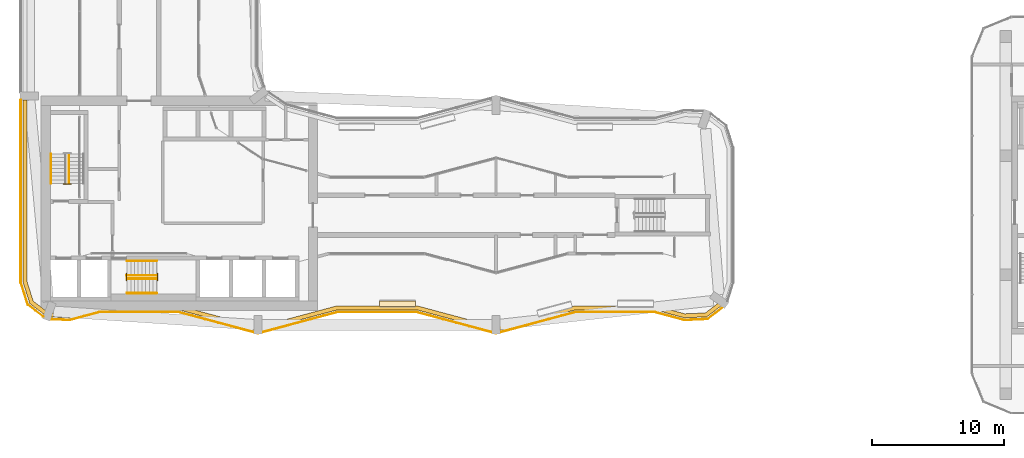
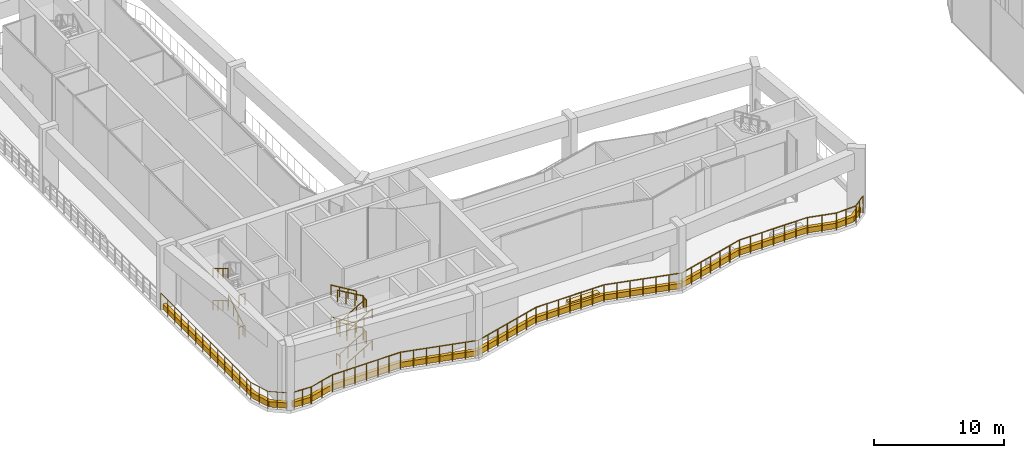
# One storey, part 21 of 24: 19 railings, 3 coverings.
"""IFC4 building model written with IfcOpenShell, lengths in metres."""

from ifc_helpers import new_model, si_unit, direction, frame, origin, origin_2d, place, context, subcontext, project, spatial, polyline, circle, outline, extrude, material, layer, layer_set, type_object, element, save


model = new_model("IFC4")

# Units and contexts
model_context = context("Model", 3, precision=1e-05, world=origin(), true_north=direction((0.0, 1.0)))
body_context = subcontext(model_context, "Body", "Model", "MODEL_VIEW")
ifc_project = project(units=[si_unit("LENGTHUNIT", "METRE"), si_unit("AREAUNIT", "SQUARE_METRE"), si_unit("VOLUMEUNIT", "CUBIC_METRE"), si_unit("PLANEANGLEUNIT", "RADIAN"), si_unit("MASSUNIT", "GRAM", prefix="KILO")], contexts=[model_context])

# Site, building, storey
site_placement = place(None, origin())
site = spatial("IfcSite", under=ifc_project, at=site_placement, CompositionType="ELEMENT")
building_placement = place(site_placement, origin())
building = spatial("IfcBuilding", under=site, at=building_placement, Name="Plateau Cross Towers", CompositionType="ELEMENT")
storey_placement = place(building_placement, frame((0.0, 0.0, 72.300048828125)))
storey = spatial("IfcBuildingStorey", under=building, at=storey_placement, Name="L18", CompositionType="ELEMENT", Elevation=72.300048828125)

# Railings
ifc_material_1 = material(Name="Stainless steel and toughened glass", Category="steel")
railing_type_1 = type_object("IfcRailingType", Name="Glass balustrade guard 1600", PredefinedType="GUARDRAIL", material=ifc_material_1)
railing_1_placement = place(storey_placement, frame((0.06005859375, 17.699951171875, 0.0)))
element("IfcRailing", 1, at=railing_1_placement, inside=storey, type_object=railing_type_1, Name="Guard A0_180", PredefinedType="GUARDRAIL", context=body_context, shape_type="SweptSolid", body=[
    extrude(circle(Radius=0.02392578125, at=origin_2d()), frame((0.0, 0.0, 1.576171875), z_axis=(0.0, -1.0, 0.0), x_axis=(1.0, 0.0, 0.0)), (0.0, 0.0, 1.0), 13.781494140625),
    extrude(circle(Radius=0.02392578125, at=origin_2d()), frame((0.0, -13.781494140625, 1.576171875), z_axis=(0.300637904714, -0.953738355237, 0.0), x_axis=(0.953738355237, 0.300637904714, 0.0)), (0.0, 0.0, 1.0), 1.776123046875),
    extrude(circle(Radius=0.02392578125, at=origin_2d()), frame((0.533935546875, -15.475341796875, 1.576171875), z_axis=(0.793378517032, -0.608728616636, 0.0), x_axis=(0.608728616636, 0.793378517032, 0.0)), (0.0, 0.0, 1.0), 1.46630859375),
    extrude(circle(Radius=0.02099609375, at=origin_2d()), origin(), (0.0, 0.0, 1.0), 1.552001953125),
    extrude(circle(Radius=0.02099609375, at=origin_2d()), frame((0.0, -1.050048828125, 0.0)), (0.0, 0.0, 1.0), 1.552001953125),
    extrude(circle(Radius=0.02099609375, at=origin_2d()), frame((0.0, -2.10009765625, 0.0)), (0.0, 0.0, 1.0), 1.552001953125),
    extrude(circle(Radius=0.02099609375, at=origin_2d()), frame((0.0, -3.14990234375, 0.0)), (0.0, 0.0, 1.0), 1.552001953125),
    extrude(circle(Radius=0.02099609375, at=origin_2d()), frame((0.0, -4.199951171875, 0.0)), (0.0, 0.0, 1.0), 1.552001953125),
    extrude(circle(Radius=0.02099609375, at=origin_2d()), frame((0.0, -5.324951171875, 0.0)), (0.0, 0.0, 1.0), 1.552001953125),
    extrude(circle(Radius=0.02099609375, at=origin_2d()), frame((0.0, -6.449951171875, 0.0)), (0.0, 0.0, 1.0), 1.552001953125),
    extrude(circle(Radius=0.02099609375, at=origin_2d()), frame((0.0, -7.574951171875, 0.0)), (0.0, 0.0, 1.0), 1.552001953125),
    extrude(circle(Radius=0.02099609375, at=origin_2d()), frame((0.0, -8.699951171875, 0.0)), (0.0, 0.0, 1.0), 1.552001953125),
    extrude(circle(Radius=0.02099609375, at=origin_2d()), frame((0.0, -9.824951171875, 0.0)), (0.0, 0.0, 1.0), 1.552001953125),
    extrude(circle(Radius=0.02099609375, at=origin_2d()), frame((0.0, -10.949951171875, 0.0)), (0.0, 0.0, 1.0), 1.552001953125),
    extrude(circle(Radius=0.02099609375, at=origin_2d()), frame((0.0, -12.074951171875, 0.0)), (0.0, 0.0, 1.0), 1.552001953125),
    extrude(circle(Radius=0.02099609375, at=origin_2d()), frame((0.0, -13.199951171875, 0.0)), (0.0, 0.0, 1.0), 1.552001953125),
    extrude(circle(Radius=0.02099609375, at=origin_2d()), frame((0.0, -13.781494140625, 0.0)), (0.0, 0.0, 1.0), 1.552001953125),
    extrude(circle(Radius=0.02099609375, at=origin_2d()), frame((0.26708984375, -14.62841796875, 0.0)), (0.0, 0.0, 1.0), 1.552001953125),
    extrude(circle(Radius=0.02099609375, at=origin_2d()), frame((0.533935546875, -15.475341796875, 0.0)), (0.0, 0.0, 1.0), 1.552001953125),
    extrude(circle(Radius=0.02099609375, at=origin_2d()), frame((1.11572265625, -15.921630859375, 0.0)), (0.0, 0.0, 1.0), 1.552001953125),
    extrude(circle(Radius=0.02099609375, at=origin_2d()), frame((1.697265625, -16.367919921875, 0.0)), (0.0, 0.0, 1.0), 1.552001953125),
])
railing_2_placement = place(storey_placement, frame((2.294921875, 1.13623046875, 0.0)))
element("IfcRailing", 2, at=railing_2_placement, inside=storey, type_object=railing_type_1, Name="Guard A20_11", PredefinedType="GUARDRAIL", context=body_context, shape_type="SweptSolid", body=[
    extrude(circle(Radius=0.02392578125, at=origin_2d()), frame((0.0, 0.0, 1.576171875), z_axis=(0.999038915809, -0.043832005412, 0.0), x_axis=(0.043832005412, 0.999038915809, 0.0)), (0.0, 0.0, 1.0), 1.47607421875),
    extrude(circle(Radius=0.02392578125, at=origin_2d()), frame((1.474609375, -0.064697265625, 1.576171875), z_axis=(0.96593668607, 0.258778512448, 0.0), x_axis=(-0.258778512448, 0.96593668607, 0.0)), (0.0, 0.0, 1.0), 2.301025390625),
    extrude(circle(Radius=0.02392578125, at=origin_2d()), frame((3.697265625, 0.53076171875, 1.576171875), z_axis=(1.0, 0.0, 0.0), x_axis=(0.0, 1.0, 0.0)), (0.0, 0.0, 1.0), 6.015625),
    extrude(circle(Radius=0.02392578125, at=origin_2d()), frame((9.712890625, 0.53076171875, 1.576171875), z_axis=(0.965950861745, -0.258725593428, 0.0), x_axis=(0.258725593428, 0.965950861745, 0.0)), (0.0, 0.0, 1.0), 6.203369140625),
    extrude(circle(Radius=0.02392578125, at=origin_2d()), frame((15.705078125, -1.07421875, 1.576171875), z_axis=(0.965950861745, 0.258725593428, 0.0), x_axis=(-0.258725593428, 0.965950861745, 0.0)), (0.0, 0.0, 1.0), 6.203369140625),
    extrude(circle(Radius=0.02392578125, at=origin_2d()), frame((21.697265625, 0.53076171875, 1.576171875), z_axis=(1.0, 0.0, 0.0), x_axis=(0.0, 1.0, 0.0)), (0.0, 0.0, 1.0), 6.015625),
    extrude(circle(Radius=0.02392578125, at=origin_2d()), frame((27.712890625, 0.53076171875, 1.576171875), z_axis=(0.965950861745, -0.258725593428, 0.0), x_axis=(0.258725593428, 0.965950861745, 0.0)), (0.0, 0.0, 1.0), 6.203369140625),
    extrude(circle(Radius=0.02392578125, at=origin_2d()), frame((33.705078125, -1.07421875, 1.576171875), z_axis=(0.965950861745, 0.258725593428, 0.0), x_axis=(-0.258725593428, 0.965950861745, 0.0)), (0.0, 0.0, 1.0), 6.203369140625),
    extrude(circle(Radius=0.02392578125, at=origin_2d()), frame((39.697265625, 0.53076171875, 1.576171875), z_axis=(1.0, 0.0, 0.0), x_axis=(0.0, 1.0, 0.0)), (0.0, 0.0, 1.0), 6.015625),
    extrude(circle(Radius=0.02392578125, at=origin_2d()), frame((45.712890625, 0.53076171875, 1.576171875), z_axis=(0.96593668607, -0.258778512448, 0.0), x_axis=(0.258778512448, 0.96593668607, 0.0)), (0.0, 0.0, 1.0), 2.301025390625),
    extrude(circle(Radius=0.02392578125, at=origin_2d()), frame((47.935546875, -0.064697265625, 1.576171875), z_axis=(0.999038178213, 0.043848813821, 0.0), x_axis=(-0.043848813821, 0.999038178213, 0.0)), (0.0, 0.0, 1.0), 1.776123046875),
    extrude(circle(Radius=0.02392578125, at=origin_2d()), frame((49.7099609375, 0.01318359375, 1.576171875), z_axis=(0.793316807674, 0.608809036284, 0.0), x_axis=(-0.608809036284, 0.793316807674, 0.0)), (0.0, 0.0, 1.0), 1.466064453125),
    extrude(circle(Radius=0.02099609375, at=origin_2d()), origin(), (0.0, 0.0, 1.0), 1.552001953125),
    extrude(circle(Radius=0.02099609375, at=origin_2d()), frame((0.7373046875, -0.0322265625, 0.0)), (0.0, 0.0, 1.0), 1.552001953125),
    extrude(circle(Radius=0.02099609375, at=origin_2d()), frame((1.474609375, -0.064697265625, 0.0)), (0.0, 0.0, 1.0), 1.552001953125),
    extrude(circle(Radius=0.02099609375, at=origin_2d()), frame((2.5859375, 0.23291015625, 0.0)), (0.0, 0.0, 1.0), 1.552001953125),
    extrude(circle(Radius=0.02099609375, at=origin_2d()), frame((3.697265625, 0.53076171875, 0.0)), (0.0, 0.0, 1.0), 1.552001953125),
    extrude(circle(Radius=0.02099609375, at=origin_2d()), frame((4.699951171875, 0.53076171875, 0.0)), (0.0, 0.0, 1.0), 1.552001953125),
    extrude(circle(Radius=0.02099609375, at=origin_2d()), frame((5.702392578125, 0.53076171875, 0.0)), (0.0, 0.0, 1.0), 1.552001953125),
    extrude(circle(Radius=0.02099609375, at=origin_2d()), frame((6.705078125, 0.53076171875, 0.0)), (0.0, 0.0, 1.0), 1.552001953125),
    extrude(circle(Radius=0.02099609375, at=origin_2d()), frame((7.707763671875, 0.53076171875, 0.0)), (0.0, 0.0, 1.0), 1.552001953125),
    extrude(circle(Radius=0.02099609375, at=origin_2d()), frame((8.710205078125, 0.53076171875, 0.0)), (0.0, 0.0, 1.0), 1.552001953125),
    extrude(circle(Radius=0.02099609375, at=origin_2d()), frame((9.712890625, 0.53076171875, 0.0)), (0.0, 0.0, 1.0), 1.552001953125),
    extrude(circle(Radius=0.02099609375, at=origin_2d()), frame((10.711669921875, 0.26318359375, 0.0)), (0.0, 0.0, 1.0), 1.552001953125),
    extrude(circle(Radius=0.02099609375, at=origin_2d()), frame((11.710205078125, -0.004150390625, 0.0)), (0.0, 0.0, 1.0), 1.552001953125),
    extrude(circle(Radius=0.02099609375, at=origin_2d()), frame((12.708984375, -0.271728515625, 0.0)), (0.0, 0.0, 1.0), 1.552001953125),
    extrude(circle(Radius=0.02099609375, at=origin_2d()), frame((13.707763671875, -0.539306640625, 0.0)), (0.0, 0.0, 1.0), 1.552001953125),
    extrude(circle(Radius=0.02099609375, at=origin_2d()), frame((14.706298828125, -0.806640625, 0.0)), (0.0, 0.0, 1.0), 1.552001953125),
    extrude(circle(Radius=0.02099609375, at=origin_2d()), frame((15.705078125, -1.07421875, 0.0)), (0.0, 0.0, 1.0), 1.552001953125),
    extrude(circle(Radius=0.02099609375, at=origin_2d()), frame((16.703857421875, -0.806640625, 0.0)), (0.0, 0.0, 1.0), 1.552001953125),
    extrude(circle(Radius=0.02099609375, at=origin_2d()), frame((17.702392578125, -0.539306640625, 0.0)), (0.0, 0.0, 1.0), 1.552001953125),
    extrude(circle(Radius=0.02099609375, at=origin_2d()), frame((18.701171875, -0.271728515625, 0.0)), (0.0, 0.0, 1.0), 1.552001953125),
    extrude(circle(Radius=0.02099609375, at=origin_2d()), frame((19.699951171875, -0.004150390625, 0.0)), (0.0, 0.0, 1.0), 1.552001953125),
    extrude(circle(Radius=0.02099609375, at=origin_2d()), frame((20.698486328125, 0.26318359375, 0.0)), (0.0, 0.0, 1.0), 1.552001953125),
    extrude(circle(Radius=0.02099609375, at=origin_2d()), frame((21.697265625, 0.53076171875, 0.0)), (0.0, 0.0, 1.0), 1.552001953125),
    extrude(circle(Radius=0.02099609375, at=origin_2d()), frame((22.699951171875, 0.53076171875, 0.0)), (0.0, 0.0, 1.0), 1.552001953125),
    extrude(circle(Radius=0.02099609375, at=origin_2d()), frame((23.702392578125, 0.53076171875, 0.0)), (0.0, 0.0, 1.0), 1.552001953125),
    extrude(circle(Radius=0.02099609375, at=origin_2d()), frame((24.705078125, 0.53076171875, 0.0)), (0.0, 0.0, 1.0), 1.552001953125),
    extrude(circle(Radius=0.02099609375, at=origin_2d()), frame((25.707763671875, 0.53076171875, 0.0)), (0.0, 0.0, 1.0), 1.552001953125),
    extrude(circle(Radius=0.02099609375, at=origin_2d()), frame((26.710205078125, 0.53076171875, 0.0)), (0.0, 0.0, 1.0), 1.552001953125),
    extrude(circle(Radius=0.02099609375, at=origin_2d()), frame((27.712890625, 0.53076171875, 0.0)), (0.0, 0.0, 1.0), 1.552001953125),
    extrude(circle(Radius=0.02099609375, at=origin_2d()), frame((28.711669921875, 0.26318359375, 0.0)), (0.0, 0.0, 1.0), 1.552001953125),
    extrude(circle(Radius=0.02099609375, at=origin_2d()), frame((29.710205078125, -0.004150390625, 0.0)), (0.0, 0.0, 1.0), 1.552001953125),
    extrude(circle(Radius=0.02099609375, at=origin_2d()), frame((30.708984375, -0.271728515625, 0.0)), (0.0, 0.0, 1.0), 1.552001953125),
    extrude(circle(Radius=0.02099609375, at=origin_2d()), frame((31.707763671875, -0.539306640625, 0.0)), (0.0, 0.0, 1.0), 1.552001953125),
    extrude(circle(Radius=0.02099609375, at=origin_2d()), frame((32.706298828125, -0.806640625, 0.0)), (0.0, 0.0, 1.0), 1.552001953125),
    extrude(circle(Radius=0.02099609375, at=origin_2d()), frame((33.705078125, -1.07421875, 0.0)), (0.0, 0.0, 1.0), 1.552001953125),
    extrude(circle(Radius=0.02099609375, at=origin_2d()), frame((34.703857421875, -0.806640625, 0.0)), (0.0, 0.0, 1.0), 1.552001953125),
    extrude(circle(Radius=0.02099609375, at=origin_2d()), frame((35.702392578125, -0.539306640625, 0.0)), (0.0, 0.0, 1.0), 1.552001953125),
    extrude(circle(Radius=0.02099609375, at=origin_2d()), frame((36.701171875, -0.271728515625, 0.0)), (0.0, 0.0, 1.0), 1.552001953125),
    extrude(circle(Radius=0.02099609375, at=origin_2d()), frame((37.699951171875, -0.004150390625, 0.0)), (0.0, 0.0, 1.0), 1.552001953125),
    extrude(circle(Radius=0.02099609375, at=origin_2d()), frame((38.698486328125, 0.26318359375, 0.0)), (0.0, 0.0, 1.0), 1.552001953125),
    extrude(circle(Radius=0.02099609375, at=origin_2d()), frame((39.697265625, 0.53076171875, 0.0)), (0.0, 0.0, 1.0), 1.552001953125),
    extrude(circle(Radius=0.02099609375, at=origin_2d()), frame((40.699951171875, 0.53076171875, 0.0)), (0.0, 0.0, 1.0), 1.552001953125),
    extrude(circle(Radius=0.02099609375, at=origin_2d()), frame((41.702392578125, 0.53076171875, 0.0)), (0.0, 0.0, 1.0), 1.552001953125),
    extrude(circle(Radius=0.02099609375, at=origin_2d()), frame((42.705078125, 0.53076171875, 0.0)), (0.0, 0.0, 1.0), 1.552001953125),
    extrude(circle(Radius=0.02099609375, at=origin_2d()), frame((43.707763671875, 0.53076171875, 0.0)), (0.0, 0.0, 1.0), 1.552001953125),
    extrude(circle(Radius=0.02099609375, at=origin_2d()), frame((44.710205078125, 0.53076171875, 0.0)), (0.0, 0.0, 1.0), 1.552001953125),
    extrude(circle(Radius=0.02099609375, at=origin_2d()), frame((45.712890625, 0.53076171875, 0.0)), (0.0, 0.0, 1.0), 1.552001953125),
    extrude(circle(Radius=0.02099609375, at=origin_2d()), frame((46.82421875, 0.23291015625, 0.0)), (0.0, 0.0, 1.0), 1.552001953125),
    extrude(circle(Radius=0.02099609375, at=origin_2d()), frame((47.935546875, -0.064697265625, 0.0)), (0.0, 0.0, 1.0), 1.552001953125),
    extrude(circle(Radius=0.02099609375, at=origin_2d()), frame((48.82275390625, -0.02587890625, 0.0)), (0.0, 0.0, 1.0), 1.552001953125),
    extrude(circle(Radius=0.02099609375, at=origin_2d()), frame((49.7099609375, 0.01318359375, 0.0)), (0.0, 0.0, 1.0), 1.552001953125),
    extrude(circle(Radius=0.02099609375, at=origin_2d()), frame((50.29150390625, 0.45947265625, 0.0)), (0.0, 0.0, 1.0), 1.552001953125),
    extrude(circle(Radius=0.02099609375, at=origin_2d()), frame((50.873046875, 0.90576171875, 0.0)), (0.0, 0.0, 1.0), 1.552001953125),
])

# Covering
ifc_material_2 = material(Name="Planting substrate and ground cover")
ifc_layer = layer(ifc_material_2, 0.199951171875)
ifc_layer_set = layer_set([ifc_layer], Name="Planting substrate and ground cover")
covering_type_1 = type_object("IfcCoveringType", Name="Planting bed 200", PredefinedType="FLOORING", material=ifc_layer_set)
covering_1_placement = place(storey_placement, frame((0.0, 0.0, 0.449951171875)))
element("IfcCovering", 3, at=covering_1_placement, inside=storey, type_object=covering_type_1, Name="Planting bed 10", PredefinedType="FLOORING", context=body_context, shape_type="SweptSolid", body=[
    extrude(outline(polyline([(27.199951171875, 2.0869140625), (27.199951171875, 2.516845703125), (29.891357421875, 2.516845703125), (29.891357421875, 2.0869140625), (27.199951171875, 2.0869140625)])), origin(), (0.0, 0.0, 1.0), 0.199951171875),
])

# Railings
railing_type_2 = type_object("IfcRailingType", Name="RL-GUARD-1100", PredefinedType="GUARDRAIL", material=ifc_material_1)
railing_3_placement = place(storey_placement, frame((3.699951171875, 11.39990234375, 0.16650390625)))
element("IfcRailing", 4, at=railing_3_placement, inside=storey, type_object=railing_type_2, Name="L18 ST-1 stair guard 1", PredefinedType="GUARDRAIL", context=body_context, shape_type="SweptSolid", body=[
    extrude(circle(Radius=0.02392578125, at=origin_2d()), frame((0.0, 0.0, 1.076171875), z_axis=(0.0, 0.859264461869, 0.511531606619), x_axis=(-1.0, 0.0, 0.0)), (0.0, 0.0, 1.0), 2.60693359375),
    extrude(circle(Radius=0.02099609375, at=origin_2d()), origin(), (0.0, 0.0, 1.0), 1.052001953125),
    extrude(circle(Radius=0.02099609375, at=origin_2d()), frame((0.0, 0.74658203125, 0.444580078125)), (0.0, 0.0, 1.0), 1.052001953125),
    extrude(circle(Radius=0.02099609375, at=origin_2d()), frame((0.0, 1.493408203125, 0.888916015625)), (0.0, 0.0, 1.0), 1.052001953125),
    extrude(circle(Radius=0.02099609375, at=origin_2d()), frame((0.0, 2.239990234375, 1.33349609375)), (0.0, 0.0, 1.0), 1.052001953125),
])
for number, where, name in (
    (5, (3.85009765625, 11.35009765625, 3.0), "L18 ST-1 stair guard 4"),
    (6, (3.85009765625, 11.35009765625, 0.0), "L18 ST-1 stair guard 8"),
):
    element("IfcRailing", number, at=place(storey_placement, frame(where)), inside=storey, type_object=railing_type_2, Name=name, PredefinedType="GUARDRAIL", context=body_context, shape_type="SweptSolid", body=[
        extrude(circle(Radius=0.02392578125, at=origin_2d()), frame((0.0, 0.0, 1.076171875), z_axis=(-1.0, 0.0, 0.0), x_axis=(0.0, -1.0, 0.0)), (0.0, 0.0, 1.0), 0.550048828125),
        extrude(circle(Radius=0.02099609375, at=origin_2d()), origin(), (0.0, 0.0, 1.0), 1.052001953125),
        extrude(circle(Radius=0.02099609375, at=origin_2d()), frame((-0.550048828125, 0.0, 0.0)), (0.0, 0.0, 1.0), 1.052001953125),
    ])
railing_4_placement = place(storey_placement, frame((8.10009765625, 4.199951171875, 0.16650390625)))
element("IfcRailing", 7, at=railing_4_placement, inside=storey, type_object=railing_type_2, Name="L18 ST-2 stair guard 1", PredefinedType="GUARDRAIL", context=body_context, shape_type="SweptSolid", body=[
    extrude(circle(Radius=0.02392578125, at=origin_2d()), frame((0.0, 0.0, 1.076171875), z_axis=(0.859264461869, 0.0, 0.511531606619), x_axis=(0.0, 1.0, 0.0)), (0.0, 0.0, 1.0), 2.60693359375),
    extrude(circle(Radius=0.02099609375, at=origin_2d()), origin(), (0.0, 0.0, 1.0), 1.052001953125),
    extrude(circle(Radius=0.02099609375, at=origin_2d()), frame((0.74658203125, 0.0, 0.444580078125)), (0.0, 0.0, 1.0), 1.052001953125),
    extrude(circle(Radius=0.02099609375, at=origin_2d()), frame((1.493408203125, 0.0, 0.888916015625)), (0.0, 0.0, 1.0), 1.052001953125),
    extrude(circle(Radius=0.02099609375, at=origin_2d()), frame((2.239990234375, 0.0, 1.33349609375)), (0.0, 0.0, 1.0), 1.052001953125),
])
railing_5_placement = place(storey_placement, frame((10.389892578125, 4.050048828125, 1.5)))
element("IfcRailing", 8, at=railing_5_placement, inside=storey, type_object=railing_type_2, Name="L18 ST-2 stair guard 2", PredefinedType="GUARDRAIL", context=body_context, shape_type="SweptSolid", body=[
    extrude(circle(Radius=0.02392578125, at=origin_2d()), frame((0.0, 0.0, 1.076171875), z_axis=(0.0, 1.0, 0.0), x_axis=(-1.0, 0.0, 0.0)), (0.0, 0.0, 1.0), 0.550048828125),
    extrude(circle(Radius=0.02099609375, at=origin_2d()), origin(), (0.0, 0.0, 1.0), 1.052001953125),
    extrude(circle(Radius=0.02099609375, at=origin_2d()), frame((0.0, 0.550048828125, 0.0)), (0.0, 0.0, 1.0), 1.052001953125),
])
railing_6_placement = place(storey_placement, frame((10.340087890625, 4.449951171875, 1.66650390625)))
element("IfcRailing", 9, at=railing_6_placement, inside=storey, type_object=railing_type_2, Name="L18 ST-2 stair guard 3", PredefinedType="GUARDRAIL", context=body_context, shape_type="SweptSolid", body=[
    extrude(circle(Radius=0.02392578125, at=origin_2d()), frame((0.0, 0.0, 1.076171875), z_axis=(-0.859264461869, 0.0, 0.511531606619), x_axis=(0.0, -1.0, 0.0)), (0.0, 0.0, 1.0), 2.60693359375),
    extrude(circle(Radius=0.02099609375, at=origin_2d()), origin(), (0.0, 0.0, 1.0), 1.052001953125),
    extrude(circle(Radius=0.02099609375, at=origin_2d()), frame((-0.74658203125, 0.0, 0.444580078125)), (0.0, 0.0, 1.0), 1.052001953125),
    extrude(circle(Radius=0.02099609375, at=origin_2d()), frame((-1.493408203125, 0.0, 0.888916015625)), (0.0, 0.0, 1.0), 1.052001953125),
    extrude(circle(Radius=0.02099609375, at=origin_2d()), frame((-2.239990234375, 0.0, 1.33349609375)), (0.0, 0.0, 1.0), 1.052001953125),
])
railing_7_placement = place(storey_placement, frame((8.050048828125, 4.050048828125, 3.0)))
element("IfcRailing", 10, at=railing_7_placement, inside=storey, type_object=railing_type_2, Name="L18 ST-2 stair guard 4", PredefinedType="GUARDRAIL", context=body_context, shape_type="SweptSolid", body=[
    extrude(circle(Radius=0.02392578125, at=origin_2d()), frame((0.0, 0.0, 1.076171875), z_axis=(0.0, 1.0, 0.0), x_axis=(-1.0, 0.0, 0.0)), (0.0, 0.0, 1.0), 0.550048828125),
    extrude(circle(Radius=0.02099609375, at=origin_2d()), origin(), (0.0, 0.0, 1.0), 1.052001953125),
    extrude(circle(Radius=0.02099609375, at=origin_2d()), frame((0.0, 0.550048828125, 0.0)), (0.0, 0.0, 1.0), 1.052001953125),
])
railing_8_placement = place(storey_placement, frame((8.10009765625, 4.199951171875, 3.16650390625)))
element("IfcRailing", 11, at=railing_8_placement, inside=storey, type_object=railing_type_2, Name="L18 ST-2 stair guard 5", PredefinedType="GUARDRAIL", context=body_context, shape_type="SweptSolid", body=[
    extrude(circle(Radius=0.02392578125, at=origin_2d()), frame((0.0, 0.0, 1.076171875), z_axis=(0.859264461869, 0.0, 0.511531606619), x_axis=(0.0, 1.0, 0.0)), (0.0, 0.0, 1.0), 2.60693359375),
    extrude(circle(Radius=0.02099609375, at=origin_2d()), origin(), (0.0, 0.0, 1.0), 1.052001953125),
    extrude(circle(Radius=0.02099609375, at=origin_2d()), frame((0.74658203125, 0.0, 0.444580078125)), (0.0, 0.0, 1.0), 1.052001953125),
    extrude(circle(Radius=0.02099609375, at=origin_2d()), frame((1.493408203125, 0.0, 0.888916015625)), (0.0, 0.0, 1.0), 1.052001953125),
    extrude(circle(Radius=0.02099609375, at=origin_2d()), frame((2.239990234375, 0.0, 1.33349609375)), (0.0, 0.0, 1.0), 1.052001953125),
])
railing_9_placement = place(storey_placement, frame((10.389892578125, 4.050048828125, 4.5)))
element("IfcRailing", 12, at=railing_9_placement, inside=storey, type_object=railing_type_2, Name="L18 ST-2 stair guard 6", PredefinedType="GUARDRAIL", context=body_context, shape_type="SweptSolid", body=[
    extrude(circle(Radius=0.02392578125, at=origin_2d()), frame((0.0, 0.0, 1.076171875), z_axis=(0.0, 1.0, 0.0), x_axis=(-1.0, 0.0, 0.0)), (0.0, 0.0, 1.0), 0.550048828125),
    extrude(circle(Radius=0.02099609375, at=origin_2d()), origin(), (0.0, 0.0, 1.0), 1.052001953125),
    extrude(circle(Radius=0.02099609375, at=origin_2d()), frame((0.0, 0.550048828125, 0.0)), (0.0, 0.0, 1.0), 1.052001953125),
])
railing_10_placement = place(storey_placement, frame((10.340087890625, 4.449951171875, 4.66650390625)))
element("IfcRailing", 13, at=railing_10_placement, inside=storey, type_object=railing_type_2, Name="L18 ST-2 stair guard 7", PredefinedType="GUARDRAIL", context=body_context, shape_type="SweptSolid", body=[
    extrude(circle(Radius=0.02392578125, at=origin_2d()), frame((0.0, 0.0, 1.076171875), z_axis=(-0.864166253726, 0.0, 0.503206404888), x_axis=(0.0, -1.0, 0.0)), (0.0, 0.0, 1.0), 2.64990234375),
    extrude(circle(Radius=0.02099609375, at=origin_2d()), origin(), (0.0, 0.0, 1.0), 1.052001953125),
    extrude(circle(Radius=0.02099609375, at=origin_2d()), frame((-0.763427734375, 0.0, 0.444580078125)), (0.0, 0.0, 1.0), 1.052001953125),
    extrude(circle(Radius=0.02099609375, at=origin_2d()), frame((-1.526611328125, 0.0, 0.888916015625)), (0.0, 0.0, 1.0), 1.052001953125),
    extrude(circle(Radius=0.02099609375, at=origin_2d()), frame((-2.2900390625, 0.0, 1.33349609375)), (0.0, 0.0, 1.0), 1.052001953125),
])
railing_11_placement = place(storey_placement, frame((8.050048828125, 4.050048828125, 0.0)))
element("IfcRailing", 14, at=railing_11_placement, inside=storey, type_object=railing_type_2, Name="L18 ST-2 stair guard 8", PredefinedType="GUARDRAIL", context=body_context, shape_type="SweptSolid", body=[
    extrude(circle(Radius=0.02392578125, at=origin_2d()), frame((0.0, 0.0, 1.076171875), z_axis=(0.0, 1.0, 0.0), x_axis=(-1.0, 0.0, 0.0)), (0.0, 0.0, 1.0), 0.550048828125),
    extrude(circle(Radius=0.02099609375, at=origin_2d()), origin(), (0.0, 0.0, 1.0), 1.052001953125),
    extrude(circle(Radius=0.02099609375, at=origin_2d()), frame((0.0, 0.550048828125, 0.0)), (0.0, 0.0, 1.0), 1.052001953125),
])
ifc_material_3 = material(Name="Black anodised aluminium", Category="aluminium")
railing_type_3 = type_object("IfcRailingType", Name="RL-HANDRAIL-900", PredefinedType="HANDRAIL", material=ifc_material_3)
for number, where, name in (
    (15, (2.35009765625, 13.639892578125, 1.66650390625), "L18 ST-1 stair handrail 2"),
    (16, (2.35009765625, 13.639892578125, 4.66650390625), "L18 ST-1 stair handrail 4"),
):
    element("IfcRailing", number, at=place(storey_placement, frame(where)), inside=storey, type_object=railing_type_3, Name=name, PredefinedType="HANDRAIL", context=body_context, shape_type="SweptSolid", body=[
        extrude(circle(Radius=0.02392578125, at=origin_2d()), frame((0.0, 0.0, 0.8759765625), z_axis=(0.0, -0.859264461869, 0.511531606619), x_axis=(1.0, 0.0, 0.0)), (0.0, 0.0, 1.0), 2.60693359375),
        extrude(circle(Radius=0.02099609375, at=origin_2d()), origin(), (0.0, 0.0, 1.0), 0.851806640625),
        extrude(circle(Radius=0.02099609375, at=origin_2d()), frame((0.0, -0.74658203125, 0.444580078125)), (0.0, 0.0, 1.0), 0.851806640625),
        extrude(circle(Radius=0.02099609375, at=origin_2d()), frame((0.0, -1.493408203125, 0.888916015625)), (0.0, 0.0, 1.0), 0.851806640625),
        extrude(circle(Radius=0.02099609375, at=origin_2d()), frame((0.0, -2.239990234375, 1.33349609375)), (0.0, 0.0, 1.0), 0.851806640625),
    ])
railing_12_placement = place(storey_placement, frame((8.10009765625, 3.10009765625, 0.16650390625)))
element("IfcRailing", 17, at=railing_12_placement, inside=storey, type_object=railing_type_3, Name="L18 ST-2 stair handrail 1", PredefinedType="HANDRAIL", context=body_context, shape_type="SweptSolid", body=[
    extrude(circle(Radius=0.02392578125, at=origin_2d()), frame((0.0, 0.0, 0.8759765625), z_axis=(0.859264461869, 0.0, 0.511531606619), x_axis=(0.0, 1.0, 0.0)), (0.0, 0.0, 1.0), 2.60693359375),
    extrude(circle(Radius=0.02099609375, at=origin_2d()), origin(), (0.0, 0.0, 1.0), 0.851806640625),
    extrude(circle(Radius=0.02099609375, at=origin_2d()), frame((0.74658203125, 0.0, 0.444580078125)), (0.0, 0.0, 1.0), 0.851806640625),
    extrude(circle(Radius=0.02099609375, at=origin_2d()), frame((1.493408203125, 0.0, 0.888916015625)), (0.0, 0.0, 1.0), 0.851806640625),
    extrude(circle(Radius=0.02099609375, at=origin_2d()), frame((2.239990234375, 0.0, 1.33349609375)), (0.0, 0.0, 1.0), 0.851806640625),
])
railing_13_placement = place(storey_placement, frame((10.340087890625, 5.550048828125, 1.66650390625)))
element("IfcRailing", 18, at=railing_13_placement, inside=storey, type_object=railing_type_3, Name="L18 ST-2 stair handrail 2", PredefinedType="HANDRAIL", context=body_context, shape_type="SweptSolid", body=[
    extrude(circle(Radius=0.02392578125, at=origin_2d()), frame((0.0, 0.0, 0.8759765625), z_axis=(-0.859264461869, 0.0, 0.511531606619), x_axis=(0.0, -1.0, 0.0)), (0.0, 0.0, 1.0), 2.60693359375),
    extrude(circle(Radius=0.02099609375, at=origin_2d()), origin(), (0.0, 0.0, 1.0), 0.851806640625),
    extrude(circle(Radius=0.02099609375, at=origin_2d()), frame((-0.74658203125, 0.0, 0.444580078125)), (0.0, 0.0, 1.0), 0.851806640625),
    extrude(circle(Radius=0.02099609375, at=origin_2d()), frame((-1.493408203125, 0.0, 0.888916015625)), (0.0, 0.0, 1.0), 0.851806640625),
    extrude(circle(Radius=0.02099609375, at=origin_2d()), frame((-2.239990234375, 0.0, 1.33349609375)), (0.0, 0.0, 1.0), 0.851806640625),
])
railing_14_placement = place(storey_placement, frame((8.10009765625, 3.10009765625, 3.16650390625)))
element("IfcRailing", 19, at=railing_14_placement, inside=storey, type_object=railing_type_3, Name="L18 ST-2 stair handrail 3", PredefinedType="HANDRAIL", context=body_context, shape_type="SweptSolid", body=[
    extrude(circle(Radius=0.02392578125, at=origin_2d()), frame((0.0, 0.0, 0.8759765625), z_axis=(0.859264461869, 0.0, 0.511531606619), x_axis=(0.0, 1.0, 0.0)), (0.0, 0.0, 1.0), 2.60693359375),
    extrude(circle(Radius=0.02099609375, at=origin_2d()), origin(), (0.0, 0.0, 1.0), 0.851806640625),
    extrude(circle(Radius=0.02099609375, at=origin_2d()), frame((0.74658203125, 0.0, 0.444580078125)), (0.0, 0.0, 1.0), 0.851806640625),
    extrude(circle(Radius=0.02099609375, at=origin_2d()), frame((1.493408203125, 0.0, 0.888916015625)), (0.0, 0.0, 1.0), 0.851806640625),
    extrude(circle(Radius=0.02099609375, at=origin_2d()), frame((2.239990234375, 0.0, 1.33349609375)), (0.0, 0.0, 1.0), 0.851806640625),
])
railing_15_placement = place(storey_placement, frame((10.340087890625, 5.550048828125, 4.66650390625)))
element("IfcRailing", 20, at=railing_15_placement, inside=storey, type_object=railing_type_3, Name="L18 ST-2 stair handrail 4", PredefinedType="HANDRAIL", context=body_context, shape_type="SweptSolid", body=[
    extrude(circle(Radius=0.02392578125, at=origin_2d()), frame((0.0, 0.0, 0.8759765625), z_axis=(-0.859264461869, 0.0, 0.511531606619), x_axis=(0.0, -1.0, 0.0)), (0.0, 0.0, 1.0), 2.60693359375),
    extrude(circle(Radius=0.02099609375, at=origin_2d()), origin(), (0.0, 0.0, 1.0), 0.851806640625),
    extrude(circle(Radius=0.02099609375, at=origin_2d()), frame((-0.74658203125, 0.0, 0.444580078125)), (0.0, 0.0, 1.0), 0.851806640625),
    extrude(circle(Radius=0.02099609375, at=origin_2d()), frame((-1.493408203125, 0.0, 0.888916015625)), (0.0, 0.0, 1.0), 0.851806640625),
    extrude(circle(Radius=0.02099609375, at=origin_2d()), frame((-2.239990234375, 0.0, 1.33349609375)), (0.0, 0.0, 1.0), 0.851806640625),
])

# Coverings
ifc_material_4 = material(Name="Light precast concrete cladding C40/50", Category="concrete")
covering_type_2 = type_object("IfcCoveringType", Name="Sill kerb cladding 300x500", PredefinedType="CLADDING", material=ifc_material_4)
covering_2_placement = place(storey_placement, origin())
element("IfcCovering", 21, at=covering_2_placement, inside=storey, type_object=covering_type_2, Name="Sill kerb 8", PredefinedType="CLADDING", context=body_context, shape_type="SweptSolid", body=[
    extrude(outline(polyline([(0.997802734375, 2.50732421875), (2.04345703125, 1.704833984375), (1.86083984375, 1.466796875), (0.739990234375, 2.326904296875), (0.22998046875, 3.944580078125), (0.22998046875, 17.699951171875), (0.530029296875, 17.699951171875), (0.530029296875, 3.99072265625), (0.997802734375, 2.50732421875)])), origin(), (0.0, 0.0, 1.0), 0.5),
])
covering_3_placement = place(storey_placement, origin())
element("IfcCovering", 22, at=covering_3_placement, inside=storey, type_object=covering_type_2, Name="Sill kerb 9", PredefinedType="CLADDING", context=body_context, shape_type="SweptSolid", body=[
    extrude(outline(polyline([(5.873779296875, 2.121826171875), (5.910400390625, 2.1298828125), (5.951171875, 2.13525390625), (5.98876953125, 2.136962890625), (12.01123046875, 2.136962890625), (12.048828125, 2.13525390625), (12.089599609375, 2.1298828125), (12.126220703125, 2.121826171875), (18.0, 0.548583984375), (23.873779296875, 2.121826171875), (23.910400390625, 2.1298828125), (23.951171875, 2.13525390625), (23.98876953125, 2.136962890625), (30.01123046875, 2.136962890625), (30.048828125, 2.13525390625), (30.089599609375, 2.1298828125), (30.126220703125, 2.121826171875), (36.0, 0.548583984375), (41.873779296875, 2.121826171875), (41.910400390625, 2.1298828125), (41.951171875, 2.13525390625), (41.98876953125, 2.136962890625), (48.01123046875, 2.136962890625), (48.048828125, 2.13525390625), (48.089599609375, 2.1298828125), (48.126220703125, 2.121826171875), (50.2822265625, 1.54443359375), (51.836181640625, 1.6123046875), (52.8818359375, 2.414794921875), (53.064453125, 2.1767578125), (51.94384765625, 1.31689453125), (50.249267578125, 1.24267578125), (48.054931640625, 1.830322265625), (48.037353515625, 1.834228515625), (48.022705078125, 1.836181640625), (48.004638671875, 1.8369140625), (41.995361328125, 1.8369140625), (41.977294921875, 1.836181640625), (41.962646484375, 1.834228515625), (41.945068359375, 1.830322265625), (36.0, 0.238037109375), (30.054931640625, 1.830322265625), (30.037353515625, 1.834228515625), (30.022705078125, 1.836181640625), (30.004638671875, 1.8369140625), (23.995361328125, 1.8369140625), (23.977294921875, 1.836181640625), (23.962646484375, 1.834228515625), (23.945068359375, 1.830322265625), (18.0, 0.238037109375), (12.054931640625, 1.830322265625), (12.037353515625, 1.834228515625), (12.022705078125, 1.836181640625), (12.004638671875, 1.8369140625), (5.995361328125, 1.8369140625), (5.977294921875, 1.836181640625), (5.962646484375, 1.834228515625), (5.945068359375, 1.830322265625), (3.750732421875, 1.24267578125), (2.302490234375, 1.305908203125), (2.3154296875, 1.605712890625), (3.7177734375, 1.54443359375), (5.873779296875, 2.121826171875)])), origin(), (0.0, 0.0, 1.0), 0.5),
])

save(model, "model.ifc")
